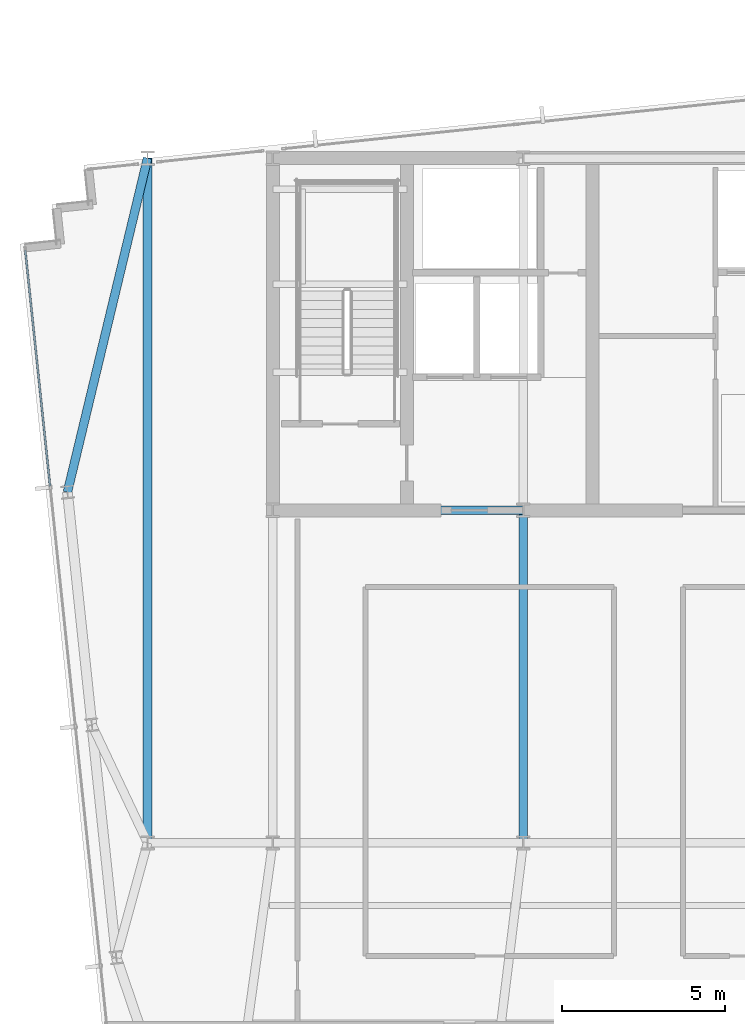
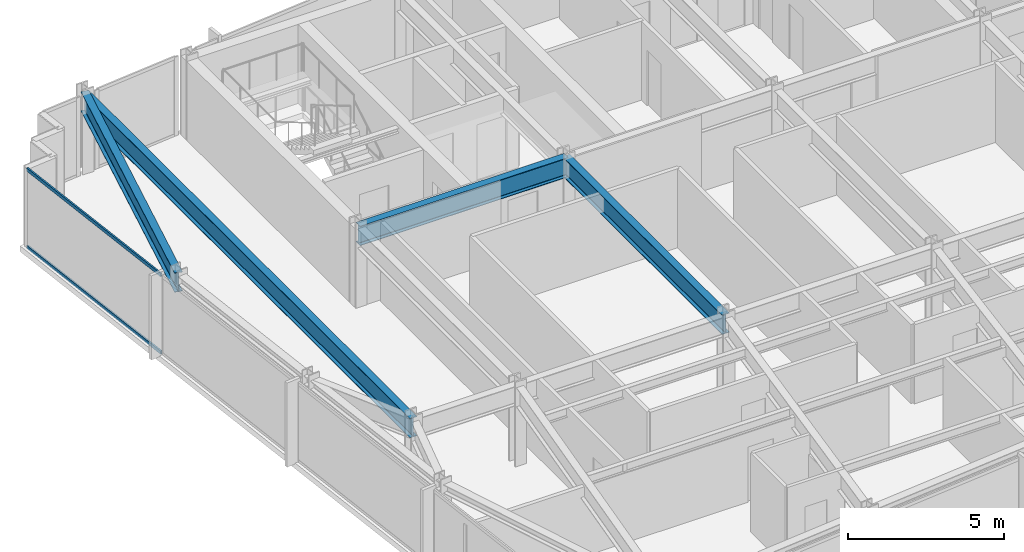
# One storey, part 11 of 32: 4 beams, 2 members, 1 element without a shape of its own.
"""IFC4 building model written with IfcOpenShell, lengths in metres."""

from ifc_helpers import new_model, si_unit, direction, frame, origin, origin_2d, place, context, subcontext, project, spatial, hollow_rectangle, i_section, extrude, material, material_profile, profile_set, type_object, element, aggregate, save


model = new_model("IFC4")

# Units and contexts
model_context = context("Model", 3, precision=1e-05, world=origin(), true_north=direction((0.0, 1.0)))
body_context = subcontext(model_context, "Body", "Model", "MODEL_VIEW")
ifc_project = project(units=[si_unit("LENGTHUNIT", "METRE"), si_unit("AREAUNIT", "SQUARE_METRE"), si_unit("VOLUMEUNIT", "CUBIC_METRE"), si_unit("PLANEANGLEUNIT", "RADIAN"), si_unit("MASSUNIT", "GRAM", prefix="KILO")], contexts=[model_context])

# Site, building, storey
site_placement = place(None, origin())
site = spatial("IfcSite", under=ifc_project, at=site_placement, CompositionType="ELEMENT")
building_placement = place(site_placement, origin())
building = spatial("IfcBuilding", under=site, at=building_placement, Name="Yelkora Congress Tower", CompositionType="ELEMENT")
storey_placement = place(building_placement, frame((0.0, 0.0, 211.10009765625)))
storey = spatial("IfcBuildingStorey", under=building, at=storey_placement, Name="L58", CompositionType="ELEMENT", Elevation=211.10009765625)

# Beams
ifc_material_1 = material(Name="Steel S355J2", Category="steel")
ifc_material_profile_1 = material_profile(ifc_material_1, i_section(OverallWidth=0.26708984375, OverallDepth=0.761962890625, WebThickness=0.014404296875, FlangeThickness=0.021484375, FilletRadius=0.01708984375, at=origin_2d()), Name="IPE 750x173")
ifc_profile_set_1 = profile_set([ifc_material_profile_1], Name="Steel S355J2")
beam_type = type_object("IfcBeamType", Name="BM-GIRD-IPE750", PredefinedType="BEAM", material=ifc_profile_set_1)
beam_1_placement = place(storey_placement, frame((23.0400390625, 35.39990234375, 2.698974609375), z_axis=(1.0, 0.0, 0.0), x_axis=(0.0, 1.0, 0.0)))
element("IfcBeam", 1, at=beam_1_placement, inside=storey, type_object=beam_type, Name="L58 Core South Girder 1", PredefinedType="BEAM", context=body_context, shape_type="SweptSolid", body=[
    extrude(i_section(OverallWidth=0.26708984375, OverallDepth=0.761962890625, WebThickness=0.014404296875, FlangeThickness=0.021484375, FilletRadius=0.01708984375, at=origin_2d()), origin(), (0.0, 0.0, 1.0), 7.679931640625),
])
beam_2_placement = place(storey_placement, frame((30.719970703125, 25.199951171875, 2.698974609375), z_axis=(0.0, 1.0, 0.0), x_axis=(-1.0, 0.0, 0.0)))
element("IfcBeam", 2, at=beam_2_placement, inside=storey, type_object=beam_type, Name="L58 Core Tie Girder MC-D2", PredefinedType="BEAM", context=body_context, shape_type="SweptSolid", body=[
    extrude(i_section(OverallWidth=0.26708984375, OverallDepth=0.761962890625, WebThickness=0.014404296875, FlangeThickness=0.021484375, FilletRadius=0.01708984375, at=origin_2d()), origin(), (0.0, 0.0, 1.0), 10.199951171875),
])
beam_3_placement = place(storey_placement, frame((19.199951171875, 25.199951171875, 2.698974609375), z_axis=(0.0, 1.0, 0.0), x_axis=(-1.0, 0.0, 0.0)))
element("IfcBeam", 3, at=beam_3_placement, inside=storey, type_object=beam_type, Name="L58 Neck Flank Girder MC-F1", PredefinedType="BEAM", context=body_context, shape_type="SweptSolid", body=[
    extrude(i_section(OverallWidth=0.26708984375, OverallDepth=0.761962890625, WebThickness=0.014404296875, FlangeThickness=0.021484375, FilletRadius=0.01708984375, at=origin_2d()), origin(), (0.0, 0.0, 1.0), 21.0),
])
beam_4_placement = place(storey_placement, frame((16.7412109375, 35.95458984375, 2.698974609375), z_axis=(0.233359806768, 0.972390456856, 0.0), x_axis=(-0.972390456856, 0.233359806768, 0.0)))
element("IfcBeam", 4, at=beam_4_placement, inside=storey, type_object=beam_type, Name="L58 Primary Frame Girder W03", PredefinedType="BEAM", context=body_context, shape_type="SweptSolid", body=[
    extrude(i_section(OverallWidth=0.26708984375, OverallDepth=0.761962890625, WebThickness=0.014404296875, FlangeThickness=0.021484375, FilletRadius=0.01708984375, at=origin_2d()), origin(), (0.0, 0.0, 1.0), 10.536376953125),
])

# Curtain wall, members
ifc_material_2 = material(Name="Anodised aluminium and insulated glass", Category="aluminium")
curtain_wall_type = type_object("IfcCurtainWallType", Name="CW-SYS-B4", PredefinedType="NOTDEFINED", material=ifc_material_2)
curtain_wall_placement = place(storey_placement, origin())
curtain_wall = element("IfcCurtainWall", 5, at=curtain_wall_placement, inside=storey, type_object=curtain_wall_type, Name="L58 Unitised Curtain Wall 5", PredefinedType="NOTDEFINED")
ifc_material_3 = material(Name="Anodised aluminium 6063-T6", Category="aluminium")
ifc_material_profile_2 = material_profile(ifc_material_3, hollow_rectangle(XDim=0.06005859375, YDim=0.1298828125, WallThickness=0.00390625, at=origin_2d()), Name="ALU 60x130x4")
ifc_profile_set_2 = profile_set([ifc_material_profile_2], Name="Anodised aluminium 6063-T6")
member_type = type_object("IfcMemberType", Name="MEM-TR-B4", PredefinedType="USERDEFINED", material=ifc_profile_set_2)
member_1_placement = place(storey_placement, frame((16.208984375, 36.137451171875, 0.02978515625), z_axis=(-0.104494567873, 0.994525457334, 0.0), x_axis=(-0.994525457334, -0.104494567873, 0.0)))
member_1 = element("IfcMember", 6, at=member_1_placement, type_object=member_type, Name="CW-B4 transom 4.1", ObjectType="TRANSOM", PredefinedType="USERDEFINED", context=body_context, shape_type="SweptSolid", body=[
    extrude(hollow_rectangle(XDim=0.06005859375, YDim=0.1298828125, WallThickness=0.00390625, at=origin_2d()), origin(), (0.0, 0.0, 1.0), 7.282470703125),
])
member_2_placement = place(storey_placement, frame((16.208984375, 36.137451171875, 3.0498046875), z_axis=(-0.104494567873, 0.994525457334, 0.0), x_axis=(-0.994525457334, -0.104494567873, 0.0)))
member_2 = element("IfcMember", 7, at=member_2_placement, type_object=member_type, Name="CW-B4 transom 4.2", ObjectType="TRANSOM", PredefinedType="USERDEFINED", context=body_context, shape_type="SweptSolid", body=[
    extrude(hollow_rectangle(XDim=0.06005859375, YDim=0.1298828125, WallThickness=0.00390625, at=origin_2d()), origin(), (0.0, 0.0, 1.0), 7.282470703125),
])
aggregate(curtain_wall, [member_1, member_2])

save(model, "model.ifc")
